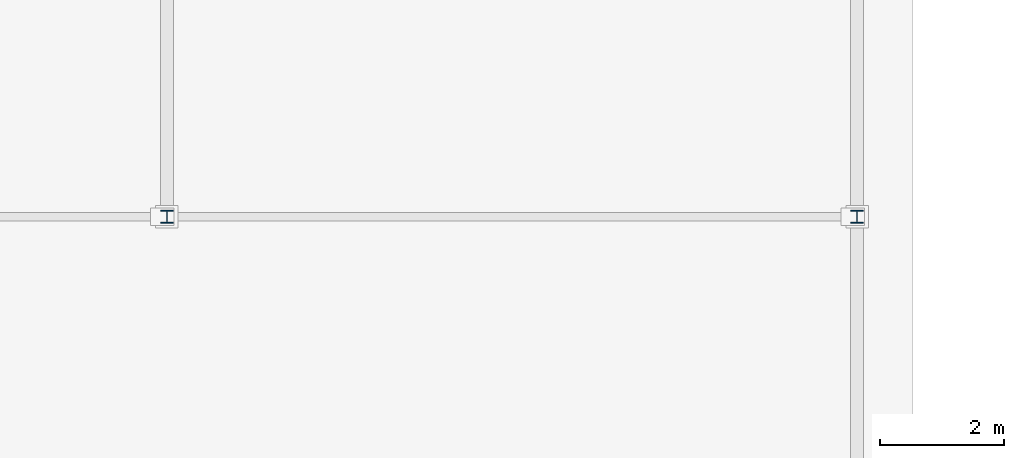
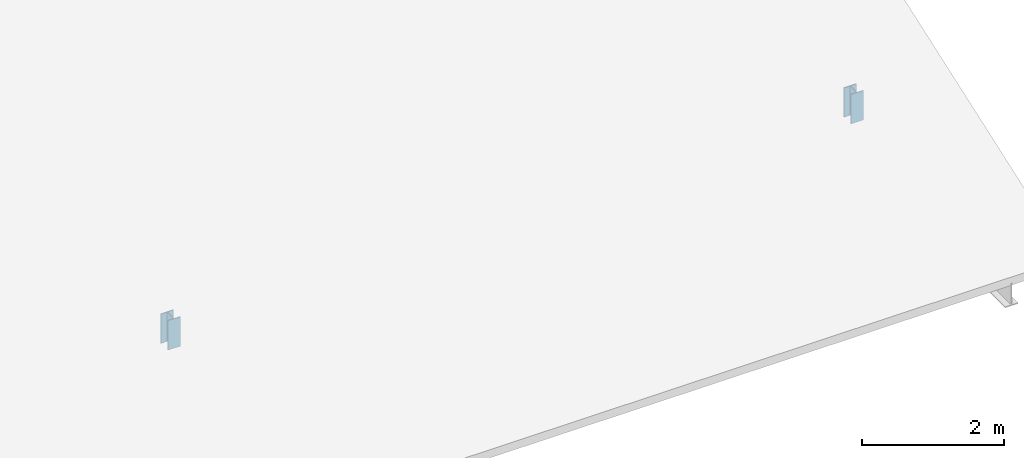
# One storey, part 34 of 42: 2 members.
"""IFC4 building model written with IfcOpenShell, lengths in metres."""

from ifc_helpers import new_model, si_unit, direction, frame, origin, origin_2d, place, context, subcontext, project, spatial, i_section, extrude, material, material_profile, profile_set, type_object, element, save


model = new_model("IFC4")

# Units and contexts
model_context = context("Model", 3, precision=1e-05, world=origin(), true_north=direction((0.0, 1.0)))
body_context = subcontext(model_context, "Body", "Model", "MODEL_VIEW")
ifc_project = project(units=[si_unit("LENGTHUNIT", "METRE"), si_unit("AREAUNIT", "SQUARE_METRE"), si_unit("VOLUMEUNIT", "CUBIC_METRE"), si_unit("PLANEANGLEUNIT", "RADIAN"), si_unit("MASSUNIT", "GRAM", prefix="KILO")], contexts=[model_context])

# Site, building, storey
site_placement = place(None, origin())
site = spatial("IfcSite", under=ifc_project, at=site_placement, CompositionType="ELEMENT")
building_placement = place(site_placement, origin())
building = spatial("IfcBuilding", under=site, at=building_placement, Name="Kelmvaro Bay Concert Hall", CompositionType="ELEMENT")
storey_placement = place(building_placement, frame((0.0, 0.0, 26.699951171875)))
storey = spatial("IfcBuildingStorey", under=building, at=storey_placement, Name="RF", CompositionType="ELEMENT", Elevation=26.699951171875)

# Members
ifc_material = material(Name="Steel ASTM A992 Grade 50", Category="steel")
ifc_material_profile = material_profile(ifc_material, i_section(OverallWidth=0.2041015625, OverallDepth=0.2060546875, WebThickness=0.0078125, FlangeThickness=0.0126953125, at=origin_2d()), Name="W8X35")
ifc_profile_set = profile_set([ifc_material_profile], Name="Steel ASTM A992 Grade 50")
member_type = type_object("IfcMemberType", Name="Crystal Eave Tie Strut W8x35", PredefinedType="STRUT", material=ifc_profile_set)
for number, where, z_axis, x_axis, name in (
    (1, (36.0, 4.5, -12.9150390625), (0.0, 0.0, 1.0), (1.0, 0.0, 0.0), "V3 Crystal Roof Post 016"),
    (2, (47.10009765625, 4.5, -12.9150390625), (0.0, 0.0, 1.0), (1.0, 0.0, 0.0), "V3 Crystal Roof Post 021"),
):
    element("IfcMember", number, at=place(storey_placement, frame(where, z_axis=z_axis, x_axis=x_axis)), inside=storey, type_object=member_type, Name=name, PredefinedType="STRUT", context=body_context, shape_type="SweptSolid", body=[
        extrude(i_section(OverallWidth=0.2041015625, OverallDepth=0.2060546875, WebThickness=0.0078125, FlangeThickness=0.0126953125, at=origin_2d()), origin(), (0.0, 0.0, 1.0), 0.5068359375),
    ])

save(model, "model.ifc")
